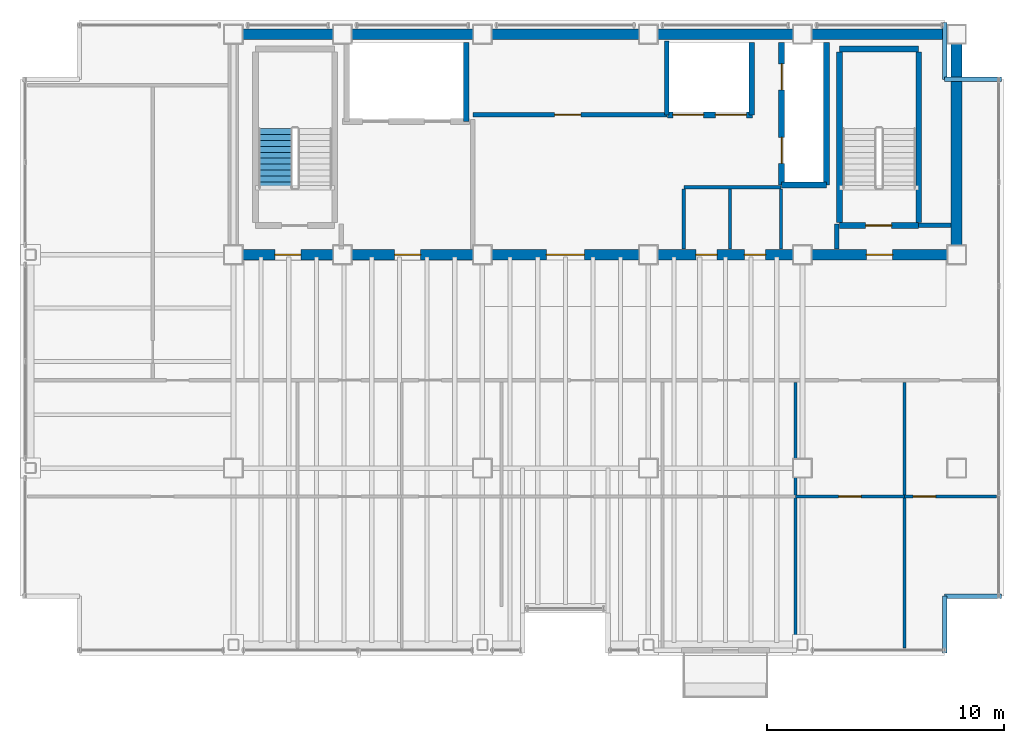
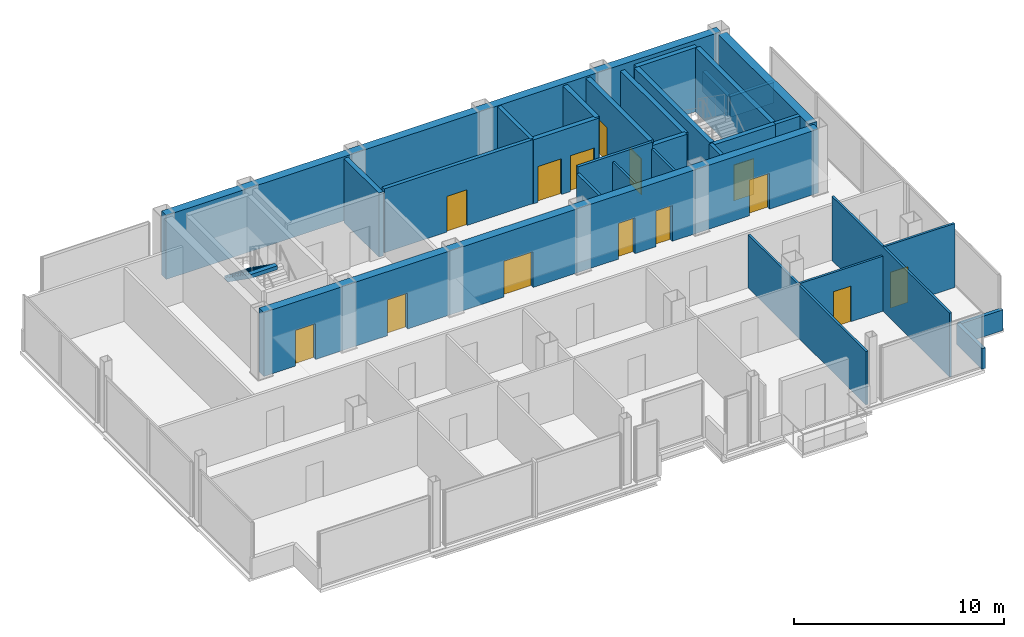
# One storey, part 15 of 17: 29 walls, 14 doors, 1 stair flight, 14 openings, 1 element without a shape of its own.
"""IFC4 building model written with IfcOpenShell, lengths in metres."""

from ifc_helpers import new_model, si_unit, direction, frame, frame_2d, origin, place, context, subcontext, project, spatial, polyline, rectangle, outline, extrude, material, layer, layer_set, type_object, element, fill, aggregate, save


model = new_model("IFC4")

# Units and contexts
model_context = context("Model", 3, precision=1e-05, world=origin(), true_north=direction((0.0, 1.0)))
body_context = subcontext(model_context, "Body", "Model", "MODEL_VIEW")
ifc_project = project(units=[si_unit("LENGTHUNIT", "METRE"), si_unit("AREAUNIT", "SQUARE_METRE"), si_unit("VOLUMEUNIT", "CUBIC_METRE"), si_unit("PLANEANGLEUNIT", "RADIAN"), si_unit("MASSUNIT", "GRAM", prefix="KILO")], contexts=[model_context])

# Site, building, storey
site_placement = place(None, origin())
site = spatial("IfcSite", under=ifc_project, at=site_placement, CompositionType="ELEMENT")
building_placement = place(site_placement, origin())
building = spatial("IfcBuilding", under=site, at=building_placement, Name="Noeulbin Bourse Tower", CompositionType="ELEMENT")
storey_placement = place(building_placement, frame((0.0, 0.0, 246.199951171875)))
storey = spatial("IfcBuildingStorey", under=building, at=storey_placement, Name="L61", CompositionType="ELEMENT", Elevation=246.199951171875)

# Wall, openings, doors
ifc_material_1 = material(Name="Concrete C50/60", Category="concrete")
ifc_layer_1 = layer(ifc_material_1, 0.449951171875)
ifc_layer_set_1 = layer_set([ifc_layer_1], Name="Concrete C50/60")
wall_type_1 = type_object("IfcWallType", Name="WAL-CORE-450", PredefinedType="SHEAR", material=ifc_layer_set_1)
wall_1_placement = place(storey_placement, frame((13.5, 29.0, 0.0), z_axis=(0.0, 0.0, 1.0), x_axis=(1.0, 0.0, 0.0)))
wall_1 = element("IfcWall", 1, at=wall_1_placement, inside=storey, type_object=wall_type_1, Name="Rear Core South Shear Wall L61", PredefinedType="SHEAR", context=body_context, shape_type="SweptSolid", body=[
    extrude(rectangle(XDim=30.5, YDim=0.449951171875, at=frame_2d((15.25, 0.0))), origin(), (0.0, 0.0, 1.0), 3.719970703125),
])
opening_1_placement = place(wall_1_placement, frame((1.75, 0.0, 0.0)))
opening_1 = element("IfcOpeningElement", 2, at=opening_1_placement, cuts=wall_1, Name="Opening FD-11", PredefinedType="OPENING", context=body_context, shape_type="SweptSolid", body=[
    extrude(rectangle(XDim=1.10009765625, YDim=2.080078125, at=frame_2d((0.550048828125, 1.0400390625))), frame((0.0, 0.23486328125, 0.0), z_axis=(0.0, -1.0, 0.0), x_axis=(1.0, 0.0, 0.0)), (0.0, 0.0, 1.0), 0.469970703125),
])
opening_2_placement = place(wall_1_placement, frame((26.699951171875, 0.0, 0.0)))
opening_2 = element("IfcOpeningElement", 3, at=opening_2_placement, cuts=wall_1, Name="Opening FD-11", PredefinedType="OPENING", context=body_context, shape_type="SweptSolid", body=[
    extrude(rectangle(XDim=1.10009765625, YDim=2.080078125, at=frame_2d((0.550048828125, 1.0400390625))), frame((0.0, 0.23486328125, 0.0), z_axis=(0.0, -1.0, 0.0), x_axis=(1.0, 0.0, 0.0)), (0.0, 0.0, 1.0), 0.469970703125),
])
opening_3_placement = place(wall_1_placement, frame((6.800048828125, 0.0, 0.0)))
opening_3 = element("IfcOpeningElement", 4, at=opening_3_placement, cuts=wall_1, Name="Opening FD-11", PredefinedType="OPENING", context=body_context, shape_type="SweptSolid", body=[
    extrude(rectangle(XDim=1.10009765625, YDim=2.080078125, at=frame_2d((0.550048828125, 1.0400390625))), frame((0.0, 0.23486328125, 0.0), z_axis=(0.0, -1.0, 0.0), x_axis=(1.0, 0.0, 0.0)), (0.0, 0.0, 1.0), 0.469970703125),
])
opening_4_placement = place(wall_1_placement, frame((13.199951171875, 0.0, 0.0)))
opening_4 = element("IfcOpeningElement", 5, at=opening_4_placement, cuts=wall_1, Name="Opening ID-16", PredefinedType="OPENING", context=body_context, shape_type="SweptSolid", body=[
    extrude(rectangle(XDim=1.60009765625, YDim=2.080078125, at=frame_2d((0.800048828125, 1.0400390625))), frame((0.0, 0.23486328125, 0.0), z_axis=(0.0, -1.0, 0.0), x_axis=(1.0, 0.0, 0.0)), (0.0, 0.0, 1.0), 0.469970703125),
])
opening_5_placement = place(wall_1_placement, frame((19.5, 0.0, 0.0)))
opening_5 = element("IfcOpeningElement", 6, at=opening_5_placement, cuts=wall_1, Name="Opening FD-09", PredefinedType="OPENING", context=body_context, shape_type="SweptSolid", body=[
    extrude(rectangle(XDim=0.89990234375, YDim=2.080078125, at=frame_2d((0.449951171875, 1.0400390625))), frame((0.0, 0.23486328125, 0.0), z_axis=(0.0, -1.0, 0.0), x_axis=(1.0, 0.0, 0.0)), (0.0, 0.0, 1.0), 0.469970703125),
])
opening_6_placement = place(wall_1_placement, frame((21.550048828125, 0.0, 0.0)))
opening_6 = element("IfcOpeningElement", 7, at=opening_6_placement, cuts=wall_1, Name="Opening FD-09", PredefinedType="OPENING", context=body_context, shape_type="SweptSolid", body=[
    extrude(rectangle(XDim=0.89990234375, YDim=2.080078125, at=frame_2d((0.449951171875, 1.0400390625))), frame((0.0, 0.23486328125, 0.0), z_axis=(0.0, -1.0, 0.0), x_axis=(1.0, 0.0, 0.0)), (0.0, 0.0, 1.0), 0.469970703125),
])
ifc_material_2 = material(Name="Acoustic Glazed Aluminium", Category="aluminium")
door_type_1 = type_object("IfcDoorType", Name="DR-DBL-1600", OperationType="DOUBLE_DOOR_SINGLE_SWING", PredefinedType="DOOR", material=ifc_material_2)
door_1_placement = place(opening_4_placement, origin())
door_1 = element("IfcDoor", 8, at=door_1_placement, inside=storey, type_object=door_type_1, Name="Passenger Lift Lobby Portal L61", OperationType="DOUBLE_DOOR_SINGLE_SWING", OverallHeight=2.080078125, OverallWidth=1.60009765625, PredefinedType="DOOR", context=body_context, shape_type="SweptSolid", body=[
    extrude(rectangle(XDim=1.60009765625, YDim=2.080078125, at=frame_2d((0.800048828125, 1.0400390625))), frame((0.0, 0.02490234375, 0.0), z_axis=(0.0, -1.0, 0.0), x_axis=(1.0, 0.0, 0.0)), (0.0, 0.0, 1.0), 0.050048828125),
])
fill(opening_4, door_1)
ifc_material_3 = material(Name="Fire-Rated Timber Core", Category="wood")
door_type_2 = type_object("IfcDoorType", Name="DR-FD30-900", OperationType="SINGLE_SWING_RIGHT", PredefinedType="DOOR", material=ifc_material_3)
door_2_placement = place(opening_5_placement, origin())
door_2 = element("IfcDoor", 9, at=door_2_placement, inside=storey, type_object=door_type_2, Name="Interior Door L61-06", OperationType="SINGLE_SWING_RIGHT", OverallHeight=2.080078125, OverallWidth=0.89990234375, PredefinedType="DOOR", context=body_context, shape_type="SweptSolid", body=[
    extrude(rectangle(XDim=0.89990234375, YDim=2.080078125, at=frame_2d((0.449951171875, 1.0400390625))), frame((0.0, 0.02490234375, 0.0), z_axis=(0.0, -1.0, 0.0), x_axis=(1.0, 0.0, 0.0)), (0.0, 0.0, 1.0), 0.050048828125),
])
fill(opening_5, door_2)
door_3_placement = place(opening_6_placement, origin())
door_3 = element("IfcDoor", 10, at=door_3_placement, inside=storey, type_object=door_type_2, Name="Interior Door L61-07", OperationType="SINGLE_SWING_LEFT", OverallHeight=2.080078125, OverallWidth=0.89990234375, PredefinedType="DOOR", context=body_context, shape_type="SweptSolid", body=[
    extrude(rectangle(XDim=0.89990234375, YDim=2.080078125, at=frame_2d((0.449951171875, 1.0400390625))), frame((0.0, 0.02490234375, 0.0), z_axis=(0.0, -1.0, 0.0), x_axis=(1.0, 0.0, 0.0)), (0.0, 0.0, 1.0), 0.050048828125),
])
fill(opening_6, door_3)
ifc_material_4 = material(Name="Fire-Rated Insulated Steel", Category="steel")
door_type_3 = type_object("IfcDoorType", Name="DR-FD60-1100", OperationType="SINGLE_SWING_LEFT", PredefinedType="DOOR", material=ifc_material_4)
door_4_placement = place(opening_1_placement, origin())
door_4 = element("IfcDoor", 11, at=door_4_placement, inside=storey, type_object=door_type_3, Name="West Stair Lobby Door L61", OperationType="SINGLE_SWING_LEFT", OverallHeight=2.080078125, OverallWidth=1.10009765625, PredefinedType="DOOR", context=body_context, shape_type="SweptSolid", body=[
    extrude(rectangle(XDim=1.10009765625, YDim=2.080078125, at=frame_2d((0.550048828125, 1.0400390625))), frame((0.0, 0.02490234375, 0.0), z_axis=(0.0, -1.0, 0.0), x_axis=(1.0, 0.0, 0.0)), (0.0, 0.0, 1.0), 0.050048828125),
])
fill(opening_1, door_4)
door_5_placement = place(opening_2_placement, origin())
door_5 = element("IfcDoor", 12, at=door_5_placement, inside=storey, type_object=door_type_3, Name="East Stair Lobby Door L61", OperationType="SINGLE_SWING_RIGHT", OverallHeight=2.080078125, OverallWidth=1.10009765625, PredefinedType="DOOR", context=body_context, shape_type="SweptSolid", body=[
    extrude(rectangle(XDim=1.10009765625, YDim=2.080078125, at=frame_2d((0.550048828125, 1.0400390625))), frame((0.0, 0.02490234375, 0.0), z_axis=(0.0, -1.0, 0.0), x_axis=(1.0, 0.0, 0.0)), (0.0, 0.0, 1.0), 0.050048828125),
])
fill(opening_2, door_5)
door_6_placement = place(opening_3_placement, origin())
door_6 = element("IfcDoor", 13, at=door_6_placement, inside=storey, type_object=door_type_3, Name="Firefighting Lobby Door L61", OperationType="SINGLE_SWING_LEFT", OverallHeight=2.080078125, OverallWidth=1.10009765625, PredefinedType="DOOR", context=body_context, shape_type="SweptSolid", body=[
    extrude(rectangle(XDim=1.10009765625, YDim=2.080078125, at=frame_2d((0.550048828125, 1.0400390625))), frame((0.0, 0.02490234375, 0.0), z_axis=(0.0, -1.0, 0.0), x_axis=(1.0, 0.0, 0.0)), (0.0, 0.0, 1.0), 0.050048828125),
])
fill(opening_3, door_6)

# Walls
wall_2_placement = place(storey_placement, frame((13.5, 38.300048828125, 0.0), z_axis=(0.0, 0.0, 1.0), x_axis=(1.0, 0.0, 0.0)))
element("IfcWall", 14, at=wall_2_placement, inside=storey, type_object=wall_type_1, Name="Rear Core North Shear Wall L61", PredefinedType="SHEAR", context=body_context, shape_type="SweptSolid", body=[
    extrude(rectangle(XDim=30.5, YDim=0.449951171875, at=frame_2d((15.25, 0.0))), origin(), (0.0, 0.0, 1.0), 3.719970703125),
])
wall_3_placement = place(storey_placement, frame((44.0, 29.35009765625, 0.0), z_axis=(0.0, 0.0, 1.0), x_axis=(0.0, 1.0, 0.0)))
element("IfcWall", 15, at=wall_3_placement, inside=storey, type_object=wall_type_1, Name="Rear Core East Shear Wall L61", PredefinedType="SHEAR", context=body_context, shape_type="SweptSolid", body=[
    extrude(rectangle(XDim=8.599853515625, YDim=0.449951171875, at=frame_2d((4.2998046875, 0.0))), origin(), (0.0, 0.0, 1.0), 3.719970703125),
])
ifc_material_5 = material(Name="Concrete C40/50", Category="concrete")
ifc_layer_2 = layer(ifc_material_5, 0.199951171875)
ifc_layer_set_2 = layer_set([ifc_layer_2], Name="Concrete C40/50")
wall_type_2 = type_object("IfcWallType", Name="WAL-FIRE-200", PredefinedType="STANDARD", material=ifc_layer_set_2)
wall_4_placement = place(storey_placement, frame((42.39990234375, 30.239990234375, 0.0), z_axis=(0.0, 0.0, 1.0), x_axis=(1.0, 0.0, 0.0)))
element("IfcWall", 16, at=wall_4_placement, inside=storey, type_object=wall_type_2, Name="Interior Partition Wall L61-01", PredefinedType="STANDARD", context=body_context, shape_type="SweptSolid", body=[
    extrude(rectangle(XDim=1.364990234375, YDim=0.199951171875, at=frame_2d((0.6826171875, 0.0))), origin(), (0.0, 0.0, 1.0), 3.719970703125),
])

# Wall, opening, door
wall_5_placement = place(storey_placement, frame((23.60009765625, 34.89990234375, 0.0), z_axis=(0.0, 0.0, 1.0), x_axis=(1.0, 0.0, 0.0)))
wall_5 = element("IfcWall", 17, at=wall_5_placement, inside=storey, type_object=wall_type_2, Name="Interior Partition Wall L61-02", PredefinedType="STANDARD", context=body_context, shape_type="SweptSolid", body=[
    extrude(rectangle(XDim=8.179931640625, YDim=0.199951171875, at=frame_2d((4.08984375, 0.0))), origin(), (0.0, 0.0, 1.0), 3.719970703125),
])
opening_7_placement = place(wall_5_placement, frame((3.449951171875, 0.0, 0.0)))
opening_7 = element("IfcOpeningElement", 18, at=opening_7_placement, cuts=wall_5, Name="Opening FD-11", PredefinedType="OPENING", context=body_context, shape_type="SweptSolid", body=[
    extrude(rectangle(XDim=1.10009765625, YDim=2.080078125, at=frame_2d((0.550048828125, 1.0400390625))), frame((0.0, 0.10986328125, 0.0), z_axis=(0.0, -1.0, 0.0), x_axis=(1.0, 0.0, 0.0)), (0.0, 0.0, 1.0), 0.219970703125),
])
door_7_placement = place(opening_7_placement, origin())
door_7 = element("IfcDoor", 19, at=door_7_placement, inside=storey, type_object=door_type_3, Name="Telemetry Server Door L61", OperationType="SINGLE_SWING_LEFT", OverallHeight=2.080078125, OverallWidth=1.10009765625, PredefinedType="DOOR", context=body_context, shape_type="SweptSolid", body=[
    extrude(rectangle(XDim=1.10009765625, YDim=2.080078125, at=frame_2d((0.550048828125, 1.0400390625))), frame((0.0, 0.02490234375, 0.0), z_axis=(0.0, -1.0, 0.0), x_axis=(1.0, 0.0, 0.0)), (0.0, 0.0, 1.0), 0.050048828125),
])
fill(opening_7, door_7)

# Walls
wall_6_placement = place(storey_placement, frame((38.949951171875, 29.235107421875, 0.0), z_axis=(0.0, 0.0, 1.0), x_axis=(0.0, 1.0, 0.0)))
element("IfcWall", 20, at=wall_6_placement, inside=storey, type_object=wall_type_2, Name="Interior Partition Wall L61-14", PredefinedType="STANDARD", context=body_context, shape_type="SweptSolid", body=[
    extrude(rectangle(XDim=1.06494140625, YDim=0.199951171875, at=frame_2d((0.532470703125, 0.0))), origin(), (0.0, 0.0, 1.0), 3.719970703125),
])
ifc_layer_3 = layer(ifc_material_5, 0.199951171875)
ifc_layer_set_3 = layer_set([ifc_layer_3], Name="Concrete C40/50")
wall_type_3 = type_object("IfcWallType", Name="WAL-PAR-200", PredefinedType="PARAPET", material=ifc_layer_set_3)
wall_7_placement = place(storey_placement, frame((43.5, 12.199951171875, 0.0), z_axis=(0.0, 0.0, 1.0), x_axis=(0.0, 1.0, 0.0)))
element("IfcWall", 21, at=wall_7_placement, inside=storey, type_object=wall_type_3, Name="Corner Notch Parapet L61-SE1", PredefinedType="PARAPET", context=body_context, shape_type="SweptSolid", body=[
    extrude(rectangle(XDim=2.400146484375, YDim=0.199951171875, at=frame_2d((1.2001953125, 0.0))), origin(), (0.0, 0.0, 1.0), 1.199951171875),
])
wall_8_placement = place(storey_placement, frame((43.5, 14.60009765625, 0.0), z_axis=(0.0, 0.0, 1.0), x_axis=(1.0, 0.0, 0.0)))
element("IfcWall", 22, at=wall_8_placement, inside=storey, type_object=wall_type_3, Name="Corner Notch Parapet L61-SE2", PredefinedType="PARAPET", context=body_context, shape_type="SweptSolid", body=[
    extrude(rectangle(XDim=2.39990234375, YDim=0.199951171875, at=frame_2d((1.199951171875, 0.0))), origin(), (0.0, 0.0, 1.0), 1.199951171875),
])
wall_9_placement = place(storey_placement, frame((43.5, 38.800048828125, 0.0), z_axis=(0.0, 0.0, 1.0), x_axis=(0.0, -1.0, 0.0)))
element("IfcWall", 23, at=wall_9_placement, inside=storey, type_object=wall_type_3, Name="Corner Notch Parapet L61-NE1", PredefinedType="PARAPET", context=body_context, shape_type="SweptSolid", body=[
    extrude(rectangle(XDim=2.400146484375, YDim=0.199951171875, at=frame_2d((1.2001953125, 0.0))), origin(), (0.0, 0.0, 1.0), 1.199951171875),
])
wall_10_placement = place(storey_placement, frame((43.5, 36.39990234375, 0.0), z_axis=(0.0, 0.0, 1.0), x_axis=(1.0, 0.0, 0.0)))
element("IfcWall", 24, at=wall_10_placement, inside=storey, type_object=wall_type_3, Name="Corner Notch Parapet L61-NE2", PredefinedType="PARAPET", context=body_context, shape_type="SweptSolid", body=[
    extrude(rectangle(XDim=2.39990234375, YDim=0.199951171875, at=frame_2d((1.199951171875, 0.0))), origin(), (0.0, 0.0, 1.0), 1.199951171875),
])

# Wall, opening, door
ifc_material_6 = material(Name="Steel Stud Gypsum Partition", Category="steel")
ifc_layer_4 = layer(ifc_material_6, 0.1201171875)
ifc_layer_set_4 = layer_set([ifc_layer_4], Name="Steel Stud Gypsum Partition")
wall_type_4 = type_object("IfcWallType", Name="WAL-PRT-120", PredefinedType="PARTITIONING", material=ifc_layer_set_4)
wall_11_placement = place(storey_placement, frame((37.199951171875, 18.800048828125, 0.0), z_axis=(0.0, 0.0, 1.0), x_axis=(1.0, 0.0, 0.0)))
wall_11 = element("IfcWall", 25, at=wall_11_placement, inside=storey, type_object=wall_type_4, Name="Interior Partition Wall L61-11", PredefinedType="PARTITIONING", context=body_context, shape_type="SweptSolid", body=[
    extrude(rectangle(XDim=4.60009765625, YDim=0.1201171875, at=frame_2d((2.300048828125, 0.0))), origin(), (0.0, 0.0, 1.0), 3.199951171875),
])
opening_8_placement = place(wall_11_placement, frame((1.824951171875, 0.0, 0.0)))
opening_8 = element("IfcOpeningElement", 26, at=opening_8_placement, cuts=wall_11, Name="Opening ID-09", PredefinedType="OPENING", context=body_context, shape_type="SweptSolid", body=[
    extrude(rectangle(XDim=0.949951171875, YDim=2.080078125, at=frame_2d((0.47509765625, 1.0400390625))), frame((0.0, 0.070068359375, 0.0), z_axis=(0.0, -1.0, 0.0), x_axis=(1.0, 0.0, 0.0)), (0.0, 0.0, 1.0), 0.14013671875),
])
ifc_material_7 = material(Name="Acoustic Solid-Core Timber", Category="wood")
door_type_4 = type_object("IfcDoorType", Name="DR-SINGLE-950", OperationType="SINGLE_SWING_LEFT", PredefinedType="DOOR", material=ifc_material_7)
door_8_placement = place(opening_8_placement, origin())
door_8 = element("IfcDoor", 27, at=door_8_placement, inside=storey, type_object=door_type_4, Name="Interior Door L61-18", OperationType="SINGLE_SWING_RIGHT", OverallHeight=2.080078125, OverallWidth=0.949951171875, PredefinedType="DOOR", context=body_context, shape_type="SweptSolid", body=[
    extrude(rectangle(XDim=0.949951171875, YDim=2.080078125, at=frame_2d((0.47509765625, 1.0400390625))), frame((0.0, 0.02490234375, 0.0), z_axis=(0.0, -1.0, 0.0), x_axis=(1.0, 0.0, 0.0)), (0.0, 0.0, 1.0), 0.050048828125),
])
fill(opening_8, door_8)

wall_12_placement = place(storey_placement, frame((41.800048828125, 18.800048828125, 0.0), z_axis=(0.0, 0.0, 1.0), x_axis=(1.0, 0.0, 0.0)))
wall_12 = element("IfcWall", 28, at=wall_12_placement, inside=storey, type_object=wall_type_4, Name="Interior Partition Wall L61-12", PredefinedType="PARTITIONING", context=body_context, shape_type="SweptSolid", body=[
    extrude(rectangle(XDim=3.889892578125, YDim=0.1201171875, at=frame_2d((1.94482421875, 0.0))), origin(), (0.0, 0.0, 1.0), 3.719970703125),
])
opening_9_placement = place(wall_12_placement, frame((0.3701171875, 0.0, 0.0)))
opening_9 = element("IfcOpeningElement", 29, at=opening_9_placement, cuts=wall_12, Name="Opening ID-09", PredefinedType="OPENING", context=body_context, shape_type="SweptSolid", body=[
    extrude(rectangle(XDim=0.949951171875, YDim=2.080078125, at=frame_2d((0.47509765625, 1.0400390625))), frame((0.0, 0.070068359375, 0.0), z_axis=(0.0, -1.0, 0.0), x_axis=(1.0, 0.0, 0.0)), (0.0, 0.0, 1.0), 0.14013671875),
])
door_9_placement = place(opening_9_placement, origin())
door_9 = element("IfcDoor", 30, at=door_9_placement, inside=storey, type_object=door_type_4, Name="Interior Door L61-20", OperationType="SINGLE_SWING_RIGHT", OverallHeight=2.080078125, OverallWidth=0.949951171875, PredefinedType="DOOR", context=body_context, shape_type="SweptSolid", body=[
    extrude(rectangle(XDim=0.949951171875, YDim=2.080078125, at=frame_2d((0.47509765625, 1.0400390625))), frame((0.0, 0.02490234375, 0.0), z_axis=(0.0, -1.0, 0.0), x_axis=(1.0, 0.0, 0.0)), (0.0, 0.0, 1.0), 0.050048828125),
])
fill(opening_9, door_9)

# Walls
for number, where, z_axis, x_axis, name in (
    (31, (36.60009765625, 29.235107421875, 0.0), (0.0, 0.0, 1.0), (0.0, 1.0, 0.0), "Interior Partition Wall L61-17"),
    (32, (34.449951171875, 29.235107421875, 0.0), (0.0, 0.0, 1.0), (0.0, 1.0, 0.0), "Interior Partition Wall L61-18"),
):
    element("IfcWall", number, at=place(storey_placement, frame(where, z_axis=z_axis, x_axis=x_axis)), inside=storey, type_object=wall_type_4, Name=name, PredefinedType="PARTITIONING", context=body_context, shape_type="SweptSolid", body=[
        extrude(rectangle(XDim=2.52978515625, YDim=0.1201171875, at=frame_2d((1.264892578125, 0.0))), origin(), (0.0, 0.0, 1.0), 3.35009765625),
    ])
wall_13_placement = place(storey_placement, frame((37.199951171875, 12.409912109375, 0.0), z_axis=(0.0, 0.0, 1.0), x_axis=(0.0, 1.0, 0.0)))
element("IfcWall", 33, at=wall_13_placement, inside=storey, type_object=wall_type_4, Name="Interior Partition Wall L61-24", PredefinedType="PARTITIONING", context=body_context, shape_type="SweptSolid", body=[
    extrude(rectangle(XDim=11.205078125, YDim=0.1201171875, at=frame_2d((5.6025390625, 0.0))), origin(), (0.0, 0.0, 1.0), 3.10009765625),
])
wall_14_placement = place(storey_placement, frame((41.800048828125, 12.409912109375, 0.0), z_axis=(0.0, 0.0, 1.0), x_axis=(0.0, 1.0, 0.0)))
element("IfcWall", 34, at=wall_14_placement, inside=storey, type_object=wall_type_4, Name="Interior Partition Wall L61-25", PredefinedType="PARTITIONING", context=body_context, shape_type="SweptSolid", body=[
    extrude(rectangle(XDim=11.205078125, YDim=0.1201171875, at=frame_2d((5.6025390625, 0.0))), origin(), (0.0, 0.0, 1.0), 3.719970703125),
])
ifc_material_8 = material(Name="Steel Stud Acoustic Gypsum Board", Category="steel")
ifc_layer_5 = layer(ifc_material_8, 0.14990234375)
ifc_layer_set_5 = layer_set([ifc_layer_5], Name="Steel Stud Acoustic Gypsum Board")
wall_type_5 = type_object("IfcWallType", Name="WAL-PRT-150", PredefinedType="PARTITIONING", material=ifc_layer_set_5)
wall_15_placement = place(storey_placement, frame((32.5, 31.85009765625, 0.0), z_axis=(0.0, 0.0, 1.0), x_axis=(1.0, 0.0, 0.0)))
element("IfcWall", 35, at=wall_15_placement, inside=storey, type_object=wall_type_5, Name="Interior Partition Wall L61-03", PredefinedType="PARTITIONING", context=body_context, shape_type="SweptSolid", body=[
    extrude(rectangle(XDim=4.10009765625, YDim=0.14990234375, at=frame_2d((2.050048828125, 0.0))), origin(), (0.0, 0.0, 1.0), 3.719970703125),
])
wall_16_placement = place(storey_placement, frame((32.5, 29.235107421875, 0.0), z_axis=(0.0, 0.0, 1.0), x_axis=(0.0, 1.0, 0.0)))
element("IfcWall", 36, at=wall_16_placement, inside=storey, type_object=wall_type_5, Name="Interior Partition Wall L61-16", PredefinedType="PARTITIONING", context=body_context, shape_type="SweptSolid", body=[
    extrude(rectangle(XDim=2.52978515625, YDim=0.14990234375, at=frame_2d((1.264892578125, 0.0))), origin(), (0.0, 0.0, 1.0), 3.35009765625),
])

# Wall, opening, door
ifc_layer_6 = layer(ifc_material_5, 0.25)
ifc_layer_set_6 = layer_set([ifc_layer_6], Name="Concrete C40/50")
wall_type_6 = type_object("IfcWallType", Name="WAL-SHFT-250", PredefinedType="STANDARD", material=ifc_layer_set_6)
wall_17_placement = place(storey_placement, frame((39.06005859375, 30.235107421875, 0.0), z_axis=(0.0, 0.0, 1.0), x_axis=(1.0, 0.0, 0.0)))
wall_17 = element("IfcWall", 37, at=wall_17_placement, inside=storey, type_object=wall_type_6, Name="Stair ST-2 South Shaft Wall L61", PredefinedType="STANDARD", context=body_context, shape_type="SweptSolid", body=[
    extrude(rectangle(XDim=3.33984375, YDim=0.25, at=frame_2d((1.669921875, 0.0))), origin(), (0.0, 0.0, 1.0), 3.719970703125),
])
opening_10_placement = place(wall_17_placement, frame((1.10009765625, 0.0, 0.0)))
opening_10 = element("IfcOpeningElement", 38, at=opening_10_placement, cuts=wall_17, Name="Opening FD-11", PredefinedType="OPENING", context=body_context, shape_type="SweptSolid", body=[
    extrude(rectangle(XDim=1.10009765625, YDim=2.080078125, at=frame_2d((0.550048828125, 1.0400390625))), frame((0.0, 0.135009765625, 0.0), z_axis=(0.0, -1.0, 0.0), x_axis=(1.0, 0.0, 0.0)), (0.0, 0.0, 1.0), 0.27001953125),
])
door_10_placement = place(opening_10_placement, origin())
door_10 = element("IfcDoor", 39, at=door_10_placement, inside=storey, type_object=door_type_3, Name="Protected Stair Entry Door ST2-L61", OperationType="SINGLE_SWING_RIGHT", OverallHeight=2.080078125, OverallWidth=1.10009765625, PredefinedType="DOOR", context=body_context, shape_type="SweptSolid", body=[
    extrude(rectangle(XDim=1.10009765625, YDim=2.080078125, at=frame_2d((0.550048828125, 1.0400390625))), frame((0.0, 0.02490234375, 0.0), z_axis=(0.0, -1.0, 0.0), x_axis=(1.0, 0.0, 0.0)), (0.0, 0.0, 1.0), 0.050048828125),
])
fill(opening_10, door_10)

# Walls
wall_18_placement = place(storey_placement, frame((39.06005859375, 37.6689453125, 0.0), z_axis=(0.0, 0.0, 1.0), x_axis=(1.0, 0.0, 0.0)))
element("IfcWall", 40, at=wall_18_placement, inside=storey, type_object=wall_type_6, Name="Stair ST-2 North Shaft Wall L61", PredefinedType="STANDARD", context=body_context, shape_type="SweptSolid", body=[
    extrude(rectangle(XDim=3.33984375, YDim=0.25, at=frame_2d((1.669921875, 0.0))), origin(), (0.0, 0.0, 1.0), 3.719970703125),
])
for number, where, z_axis, x_axis, name in (
    (41, (39.054931640625, 30.360107421875, 0.0), (0.0, 0.0, 1.0), (0.0, 1.0, 0.0), "Stair ST-2 West Shaft Wall L61"),
    (42, (42.405029296875, 30.360107421875, 0.0), (0.0, 0.0, 1.0), (0.0, 1.0, 0.0), "Stair ST-2 East Shaft Wall L61"),
):
    element("IfcWall", number, at=place(storey_placement, frame(where, z_axis=z_axis, x_axis=x_axis)), inside=storey, type_object=wall_type_6, Name=name, PredefinedType="STANDARD", context=body_context, shape_type="SweptSolid", body=[
        extrude(rectangle(XDim=7.183837890625, YDim=0.25, at=frame_2d((3.591796875, 0.0))), origin(), (0.0, 0.0, 1.0), 3.719970703125),
    ])

# Wall, openings, doors
wall_19_placement = place(storey_placement, frame((36.6201171875, 31.949951171875, 0.0), z_axis=(0.0, 0.0, 1.0), x_axis=(0.0, 1.0, 0.0)))
wall_19 = element("IfcWall", 43, at=wall_19_placement, inside=storey, type_object=wall_type_6, Name="Service Lift Shaft Wall L61", PredefinedType="STANDARD", context=body_context, shape_type="SweptSolid", body=[
    extrude(rectangle(XDim=6.0, YDim=0.25, at=frame_2d((3.0, 0.0))), origin(), (0.0, 0.0, 1.0), 3.719970703125),
])
opening_11_placement = place(wall_19_placement, frame((0.89990234375, 0.0, 0.0)))
opening_11 = element("IfcOpeningElement", 44, at=opening_11_placement, cuts=wall_19, Name="Opening LD-11", PredefinedType="OPENING", context=body_context, shape_type="SweptSolid", body=[
    extrude(rectangle(XDim=1.10009765625, YDim=2.080078125, at=frame_2d((0.550048828125, 1.0400390625))), frame((0.0, 0.135009765625, 0.0), z_axis=(0.0, -1.0, 0.0), x_axis=(1.0, 0.0, 0.0)), (0.0, 0.0, 1.0), 0.27001953125),
])
opening_12_placement = place(wall_19_placement, frame((4.0, 0.0, 0.0)))
opening_12 = element("IfcOpeningElement", 45, at=opening_12_placement, cuts=wall_19, Name="Opening LD-11", PredefinedType="OPENING", context=body_context, shape_type="SweptSolid", body=[
    extrude(rectangle(XDim=1.10009765625, YDim=2.080078125, at=frame_2d((0.550048828125, 1.0400390625))), frame((0.0, 0.135009765625, 0.0), z_axis=(0.0, -1.0, 0.0), x_axis=(1.0, 0.0, 0.0)), (0.0, 0.0, 1.0), 0.27001953125),
])
ifc_material_9 = material(Name="Brushed Stainless Steel 316", Category="steel")
door_type_5 = type_object("IfcDoorType", Name="DR-LIFT-1100", OperationType="SLIDING_TO_LEFT", PredefinedType="DOOR", material=ifc_material_9)
door_11_placement = place(opening_11_placement, origin())
door_11 = element("IfcDoor", 46, at=door_11_placement, inside=storey, type_object=door_type_5, Name="Lift Landing Door LD-EL-01-L61", OperationType="SLIDING_TO_LEFT", OverallHeight=2.080078125, OverallWidth=1.10009765625, PredefinedType="DOOR", context=body_context, shape_type="SweptSolid", body=[
    extrude(rectangle(XDim=1.10009765625, YDim=2.080078125, at=frame_2d((0.550048828125, 1.0400390625))), frame((0.0, 0.02490234375, 0.0), z_axis=(0.0, -1.0, 0.0), x_axis=(1.0, 0.0, 0.0)), (0.0, 0.0, 1.0), 0.050048828125),
])
fill(opening_11, door_11)
door_12_placement = place(opening_12_placement, origin())
door_12 = element("IfcDoor", 47, at=door_12_placement, inside=storey, type_object=door_type_5, Name="Lift Landing Door LD-SV-01-L61", OperationType="SLIDING_TO_LEFT", OverallHeight=2.080078125, OverallWidth=1.10009765625, PredefinedType="DOOR", context=body_context, shape_type="SweptSolid", body=[
    extrude(rectangle(XDim=1.10009765625, YDim=2.080078125, at=frame_2d((0.550048828125, 1.0400390625))), frame((0.0, 0.02490234375, 0.0), z_axis=(0.0, -1.0, 0.0), x_axis=(1.0, 0.0, 0.0)), (0.0, 0.0, 1.0), 0.050048828125),
])
fill(opening_12, door_12)

# Walls
wall_20_placement = place(storey_placement, frame((38.52001953125, 31.949951171875, 0.0), z_axis=(0.0, 0.0, 1.0), x_axis=(0.0, 1.0, 0.0)))
element("IfcWall", 48, at=wall_20_placement, inside=storey, type_object=wall_type_6, Name="Service Lift East Shaft Wall L61", PredefinedType="STANDARD", context=body_context, shape_type="SweptSolid", body=[
    extrude(rectangle(XDim=6.0, YDim=0.25, at=frame_2d((3.0, 0.0))), origin(), (0.0, 0.0, 1.0), 3.47998046875),
])
wall_21_placement = place(storey_placement, frame((36.6201171875, 31.949951171875, 0.0), z_axis=(0.0, 0.0, 1.0), x_axis=(1.0, 0.0, 0.0)))
element("IfcWall", 49, at=wall_21_placement, inside=storey, type_object=wall_type_6, Name="Service Lift South Shaft Wall L61", PredefinedType="STANDARD", context=body_context, shape_type="SweptSolid", body=[
    extrude(rectangle(XDim=1.89990234375, YDim=0.25, at=frame_2d((0.949951171875, 0.0))), origin(), (0.0, 0.0, 1.0), 3.47998046875),
])
wall_22_placement = place(storey_placement, frame((23.320068359375, 34.6201171875, 0.0), z_axis=(0.0, 0.0, 1.0), x_axis=(0.0, 1.0, 0.0)))
element("IfcWall", 50, at=wall_22_placement, inside=storey, type_object=wall_type_6, Name="Firefighting Lift East Shaft Wall L61", PredefinedType="STANDARD", context=body_context, shape_type="SweptSolid", body=[
    extrude(rectangle(XDim=3.329833984375, YDim=0.25, at=frame_2d((1.6650390625, 0.0))), origin(), (0.0, 0.0, 1.0), 3.719970703125),
])
wall_23_placement = place(storey_placement, frame((35.360107421875, 34.89990234375, 0.0), z_axis=(0.0, 0.0, 1.0), x_axis=(0.0, 1.0, 0.0)))
element("IfcWall", 51, at=wall_23_placement, inside=storey, type_object=wall_type_6, Name="High-Rise Lift East Shaft Wall L61", PredefinedType="STANDARD", context=body_context, shape_type="SweptSolid", body=[
    extrude(rectangle(XDim=3.050048828125, YDim=0.25, at=frame_2d((1.52490234375, 0.0))), origin(), (0.0, 0.0, 1.0), 3.719970703125),
])

# Wall, openings, doors
wall_24_placement = place(storey_placement, frame((31.800048828125, 34.89990234375, 0.0), z_axis=(0.0, 0.0, 1.0), x_axis=(1.0, 0.0, 0.0)))
wall_24 = element("IfcWall", 52, at=wall_24_placement, inside=storey, type_object=wall_type_6, Name="High-Rise Lift Bank Front L61", PredefinedType="STANDARD", context=body_context, shape_type="SweptSolid", body=[
    extrude(rectangle(XDim=3.599853515625, YDim=0.25, at=frame_2d((1.7998046875, 0.0))), origin(), (0.0, 0.0, 1.0), 3.719970703125),
])
opening_13_placement = place(wall_24_placement, frame((0.22998046875, 0.0, 0.0)))
opening_13 = element("IfcOpeningElement", 53, at=opening_13_placement, cuts=wall_24, Name="Opening LD-13", PredefinedType="OPENING", context=body_context, shape_type="SweptSolid", body=[
    extrude(rectangle(XDim=1.300048828125, YDim=2.080078125, at=frame_2d((0.64990234375, 1.0400390625))), frame((0.0, 0.135009765625, 0.0), z_axis=(0.0, -1.0, 0.0), x_axis=(1.0, 0.0, 0.0)), (0.0, 0.0, 1.0), 0.27001953125),
])
opening_14_placement = place(wall_24_placement, frame((2.030029296875, 0.0, 0.0)))
opening_14 = element("IfcOpeningElement", 54, at=opening_14_placement, cuts=wall_24, Name="Opening LD-13", PredefinedType="OPENING", context=body_context, shape_type="SweptSolid", body=[
    extrude(rectangle(XDim=1.300048828125, YDim=2.080078125, at=frame_2d((0.64990234375, 1.0400390625))), frame((0.0, 0.135009765625, 0.0), z_axis=(0.0, -1.0, 0.0), x_axis=(1.0, 0.0, 0.0)), (0.0, 0.0, 1.0), 0.27001953125),
])
door_type_6 = type_object("IfcDoorType", Name="DR-LIFT-1300", OperationType="DOUBLE_DOOR_SLIDING", PredefinedType="DOOR", material=ifc_material_9)
door_13_placement = place(opening_13_placement, origin())
door_13 = element("IfcDoor", 55, at=door_13_placement, inside=storey, type_object=door_type_6, Name="Lift Landing Door LD-PL-H1-L61", OperationType="DOUBLE_DOOR_SLIDING", OverallHeight=2.080078125, OverallWidth=1.300048828125, PredefinedType="DOOR", context=body_context, shape_type="SweptSolid", body=[
    extrude(rectangle(XDim=1.300048828125, YDim=2.080078125, at=frame_2d((0.64990234375, 1.0400390625))), frame((0.0, 0.02490234375, 0.0), z_axis=(0.0, -1.0, 0.0), x_axis=(1.0, 0.0, 0.0)), (0.0, 0.0, 1.0), 0.050048828125),
])
fill(opening_13, door_13)
door_14_placement = place(opening_14_placement, origin())
door_14 = element("IfcDoor", 56, at=door_14_placement, inside=storey, type_object=door_type_6, Name="Lift Landing Door LD-PL-H2-L61", OperationType="DOUBLE_DOOR_SLIDING", OverallHeight=2.080078125, OverallWidth=1.300048828125, PredefinedType="DOOR", context=body_context, shape_type="SweptSolid", body=[
    extrude(rectangle(XDim=1.300048828125, YDim=2.080078125, at=frame_2d((0.64990234375, 1.0400390625))), frame((0.0, 0.02490234375, 0.0), z_axis=(0.0, -1.0, 0.0), x_axis=(1.0, 0.0, 0.0)), (0.0, 0.0, 1.0), 0.050048828125),
])
fill(opening_14, door_14)

# Wall
wall_25_placement = place(storey_placement, frame((31.780029296875, 34.89990234375, 0.0), z_axis=(0.0, 0.0, 1.0), x_axis=(0.0, 1.0, 0.0)))
element("IfcWall", 57, at=wall_25_placement, inside=storey, type_object=wall_type_6, Name="Hoistway Side Shaft Wall L61-PLHW", PredefinedType="STANDARD", context=body_context, shape_type="SweptSolid", body=[
    extrude(rectangle(XDim=3.1201171875, YDim=0.199951171875, at=frame_2d((1.56005859375, 0.0))), origin(), (0.0, 0.0, 1.0), 3.719970703125),
])

# Stair, stair flight
stair_type = type_object("IfcStairType", Name="STR-CORE-1560", PredefinedType="HALF_TURN_STAIR", material=ifc_material_5)
stair_placement = place(storey_placement, origin())
stair = element("IfcStair", 58, at=stair_placement, inside=storey, type_object=stair_type, Name="L61 ST-1", PredefinedType="HALF_TURN_STAIR")
stair_flight_type = type_object("IfcStairFlightType", Name="SFL-CORE-1560", PredefinedType="STRAIGHT", material=ifc_material_5)
stair_flight_placement = place(storey_placement, frame((15.27490234375, 34.330078125, 1.949951171875), z_axis=(0.0, 0.0, 1.0), x_axis=(0.0, -1.0, 0.0)))
stair_flight = element("IfcStairFlight", 59, at=stair_flight_placement, type_object=stair_flight_type, Name="ST-1 flight 2", NumberOfRisers=11, NumberOfTreads=10, PredefinedType="STRAIGHT", RiserHeight=0.177272727, TreadLength=0.252, context=body_context, shape_type="SweptSolid", body=[
    extrude(outline(polyline([(0.0, 0.0), (0.0, 0.17724609375), (0.251953125, 0.17724609375), (0.251953125, 0.3544921875), (0.50390625, 0.3544921875), (0.50390625, 0.53173828125), (0.756103515625, 0.53173828125), (0.756103515625, 0.708984375), (1.008056640625, 0.708984375), (1.008056640625, 0.886474609375), (1.260009765625, 0.886474609375), (1.260009765625, 1.063720703125), (1.511962890625, 1.063720703125), (1.511962890625, 1.240966796875), (1.763916015625, 1.240966796875), (1.763916015625, 1.418212890625), (2.01611328125, 1.418212890625), (2.01611328125, 1.595458984375), (2.26806640625, 1.595458984375), (2.26806640625, 1.772705078125), (2.52001953125, 1.772705078125), (2.52001953125, 1.949951171875), (2.52001953125, 1.552734375), (0.312744140625, 0.0), (0.0, 0.0)])), frame((0.0, 0.72509765625, 0.0), z_axis=(0.0, -1.0, 0.0), x_axis=(1.0, 0.0, 0.0)), (0.0, 0.0, 1.0), 1.449951171875),
])
aggregate(stair, [stair_flight])

save(model, "model.ifc")
